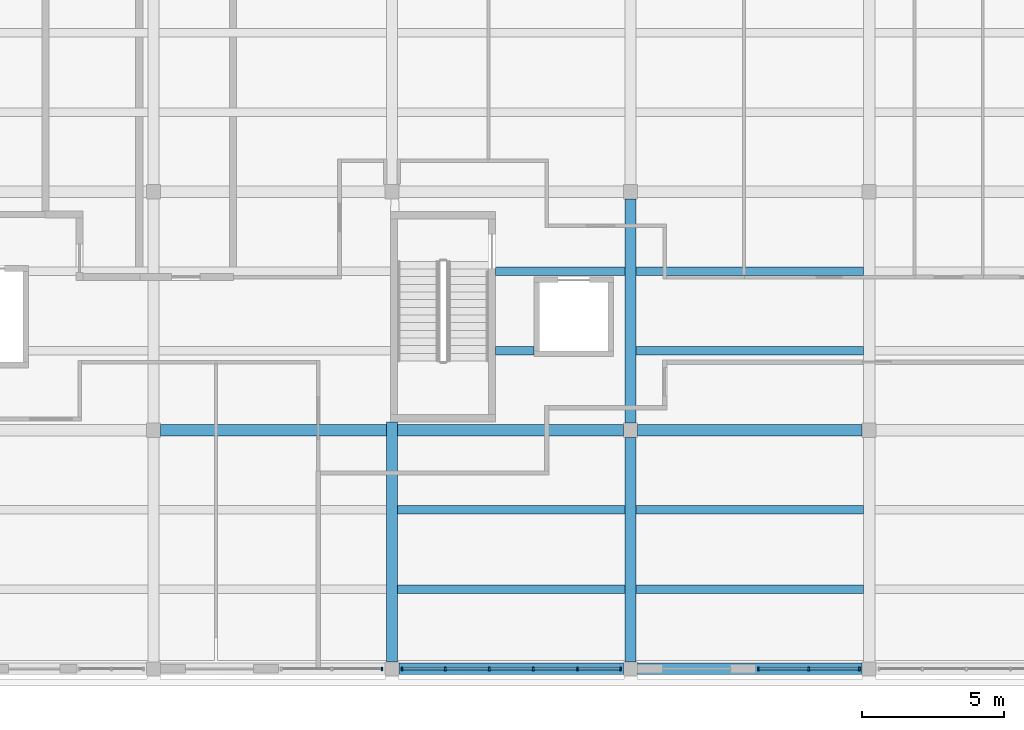
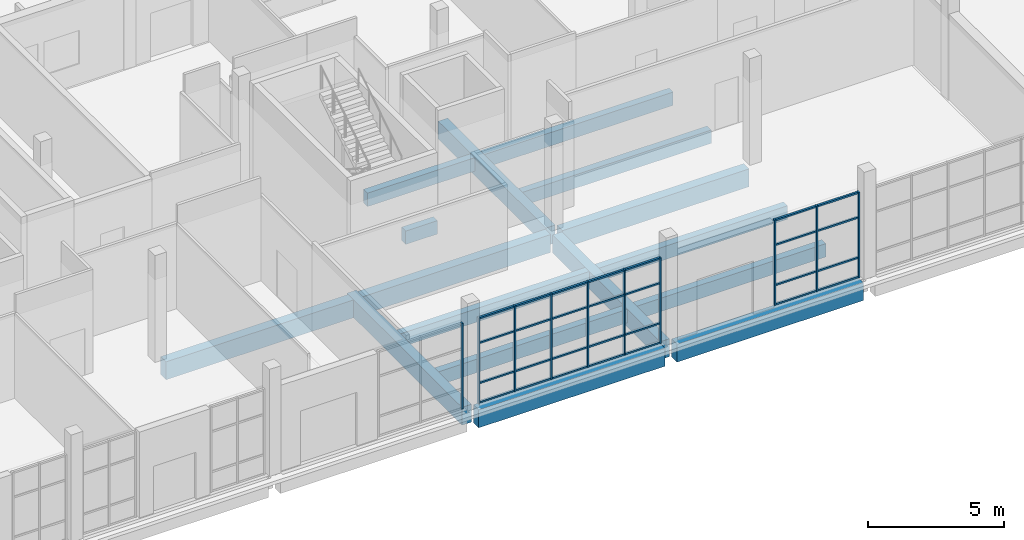
# One storey, part 9 of 110: 38 members, 15 beams, 3 elements without a shape of their own.
"""IFC4 building model written with IfcOpenShell, lengths in metres."""

import ifcopenshell
import ifcopenshell.guid

model = None  # the IFC model being written
_history = None  # IfcOwnerHistory: only IFC2X3 demands one
_inside = {}  # id of a spatial element -> (the spatial element, [elements in it])
_under = {}  # id of a project, library or spatial element -> (it, [spatial elements below it])
_declared = {}  # id of a project -> (the project, [libraries it declares])
_typed = {}  # id of a type object -> (the type object, [elements of that type])
_made_of = {}  # id of a material, layer set ... -> (it, [elements and type objects made of it])


def new_model(schema):
    """Start an empty IFC model of exactly this schema.

    Asked for "IFC4X3", IfcOpenShell would pick the latest addendum, in which some entities
    have other attributes; the version numbers below select the first issue.
    IFC2X3 requires an IfcOwnerHistory on every rooted entity: one is made here for all.
    """
    global model, _history
    if schema == "IFC4X3":
        model = ifcopenshell.file(schema_version=(4, 3, 0, 0))
    else:
        model = ifcopenshell.file(schema=schema)
    _inside.clear()
    _under.clear()
    _declared.clear()
    _typed.clear()
    _made_of.clear()
    _history = None
    if model.schema == "IFC2X3":
        org = make("IfcOrganization", Name="unknown")
        user = make(
            "IfcPersonAndOrganization",
            ThePerson=make("IfcPerson", FamilyName="unknown"),
            TheOrganization=org,
        )
        app = make(
            "IfcApplication",
            ApplicationDeveloper=org,
            Version="unknown",
            ApplicationFullName="unknown",
            ApplicationIdentifier="unknown",
        )
        _history = make(
            "IfcOwnerHistory",
            OwningUser=user,
            OwningApplication=app,
            ChangeAction="ADDED",
            CreationDate=0,
        )
    return model


def make(cls, **values):
    """One entity of the class cls with the attributes given. An attribute that is None is left unset."""
    return model.create_entity(
        cls, **{name: value for name, value in values.items() if value is not None}
    )


def rooted(cls, **values):
    """An entity with a GlobalId (a new one), such as an element, a storey or a relation."""
    return make(cls, GlobalId=ifcopenshell.guid.new(), OwnerHistory=_history, **values)


def si_unit(unit_type, name, prefix=None):
    """IfcSIUnit, for example si_unit("LENGTHUNIT", "METRE", prefix="MILLI")."""
    return make("IfcSIUnit", UnitType=unit_type, Prefix=prefix, Name=name)


def assignment(units):
    """IfcUnitAssignment: the units of a project."""
    return None if units is None else make("IfcUnitAssignment", Units=units)


def point(xyz):
    """IfcCartesianPoint."""
    return None if xyz is None else make("IfcCartesianPoint", Coordinates=xyz)


def direction(xyz):
    """IfcDirection."""
    return None if xyz is None else make("IfcDirection", DirectionRatios=xyz)


def frame(location, z_axis=None, x_axis=None):
    """IfcAxis2Placement3D, a coordinate frame: its origin and axes. An axis left out is left unset."""
    return make(
        "IfcAxis2Placement3D",
        Location=point(location),
        Axis=direction(z_axis),
        RefDirection=direction(x_axis),
    )


def frame_2d(location, x_axis=None):
    """IfcAxis2Placement2D, a coordinate frame in the plane: its origin and x axis."""
    return make(
        "IfcAxis2Placement2D", Location=point(location), RefDirection=direction(x_axis)
    )


def origin():
    """The frame at (0, 0, 0) with its axes left unset."""
    return frame((0.0, 0.0, 0.0))


def origin_2d():
    """The frame at (0, 0) in the plane with its x axis left unset."""
    return frame_2d((0.0, 0.0))


def place(relative_to, where):
    """IfcLocalPlacement: puts the frame where relative to a parent placement (None: the world)."""
    return make(
        "IfcLocalPlacement", PlacementRelTo=relative_to, RelativePlacement=where
    )


def context(
    kind, dimensions, precision=None, world=None, true_north=None, identifier=None
):
    """IfcGeometricRepresentationContext, for example the 3D "Model" context."""
    return make(
        "IfcGeometricRepresentationContext",
        ContextIdentifier=identifier,
        ContextType=kind,
        CoordinateSpaceDimension=dimensions,
        Precision=precision,
        WorldCoordinateSystem=world,
        TrueNorth=true_north,
    )


def subcontext(parent, identifier, kind, view, scale=None):
    """IfcGeometricRepresentationSubContext, for example "Body" below "Model"."""
    return make(
        "IfcGeometricRepresentationSubContext",
        ContextIdentifier=identifier,
        ContextType=kind,
        ParentContext=parent,
        TargetScale=scale,
        TargetView=view,
    )


def project(units=None, contexts=None):
    """IfcProject with its units and contexts."""
    return rooted(
        "IfcProject",
        Name="project",
        RepresentationContexts=contexts,
        UnitsInContext=assignment(units),
    )


def spatial(cls, under=None, at=None, **own):
    """A site, building, storey or space (cls), placed at a placement, below another one or the project."""
    s = rooted(cls, ObjectPlacement=at, **own)
    if under is not None:
        _under.setdefault(under.id(), (under, []))[1].append(s)
    return s


def profile(cls, at=None, kind="AREA", **sizes):
    """A parametric profile (cls). Its sizes go by their IFC names, for example OverallWidth=200.0."""
    return make(cls, ProfileType=kind, Position=at, **sizes)


def rectangle(**sizes):
    """IfcRectangleProfileDef."""
    return profile("IfcRectangleProfileDef", **sizes)


def extrude(swept, where, along, depth):
    """IfcExtrudedAreaSolid: the profile swept, set in the frame where, extruded along a direction by depth."""
    return make(
        "IfcExtrudedAreaSolid",
        SweptArea=swept,
        Position=where,
        ExtrudedDirection=direction(along),
        Depth=depth,
    )


def shape(context_of_items, identifier, shape_type, items):
    """IfcShapeRepresentation: the items that make up one representation, for example the "Body"."""
    return make(
        "IfcShapeRepresentation",
        ContextOfItems=context_of_items,
        RepresentationIdentifier=identifier,
        RepresentationType=shape_type,
        Items=items,
    )


def material(Name=None, Category=None):
    """IfcMaterial."""
    return make("IfcMaterial", Name=Name, Category=Category)


def layer(
    of_material, thickness, ventilated=None, Name=None, Category=None, Priority=None
):
    """IfcMaterialLayer: one layer of a wall or slab, of a material (None: an air gap)."""
    return make(
        "IfcMaterialLayer",
        Material=of_material,
        LayerThickness=thickness,
        IsVentilated=ventilated,
        Name=Name,
        Category=Category,
        Priority=Priority,
    )


def layer_set(layers, Name=None):
    """IfcMaterialLayerSet."""
    return make("IfcMaterialLayerSet", MaterialLayers=layers, LayerSetName=Name)


def material_profile(
    of_material, cross_section, Name=None, Category=None, Priority=None
):
    """IfcMaterialProfile: a cross section and its material."""
    return make(
        "IfcMaterialProfile",
        Name=Name,
        Material=of_material,
        Profile=cross_section,
        Priority=Priority,
        Category=Category,
    )


def profile_set(profiles, Name=None, composite=None):
    """IfcMaterialProfileSet."""
    return make(
        "IfcMaterialProfileSet",
        Name=Name,
        MaterialProfiles=profiles,
        CompositeProfile=composite,
    )


def made_of(thing, what):
    """Note that an element or type object is made of a material, layer set ...; save() writes the relation."""
    if what is not None:
        _made_of.setdefault(what.id(), (what, []))[1].append(thing)
    return thing


def type_object(cls, material=None, **own):
    """A type object (cls), such as IfcWallType, which elements share."""
    return made_of(rooted(cls, **own), material)


def element(
    cls,
    number,
    at=None,
    inside=None,
    cuts=None,
    type_object=None,
    material=None,
    context=None,
    identifier="Body",
    shape_type=None,
    held_by="IfcProductDefinitionShape",
    body=None,
    shapes=None,
    **own,
):
    """One element of the class cls, such as IfcWall. Its Tag is "e" and its number.

    at: its placement. inside: the storey or other place that contains it. cuts: it is an
    opening in that element (IfcRelVoidsElement). A single representation is given by context,
    identifier, shape_type and body (its items); several are given by shapes. held_by: the class
    of the entity that holds the representations. save() writes the other relations.
    """
    e = rooted(cls, Tag="e%d" % number, ObjectPlacement=at, **own)
    if body is not None:
        shapes = [shape(context, identifier, shape_type, body)]
    if shapes is not None:
        e.Representation = make(held_by, Representations=shapes)
    if inside is not None:
        _inside.setdefault(inside.id(), (inside, []))[1].append(e)
    if cuts is not None:
        rooted(
            "IfcRelVoidsElement", RelatingBuildingElement=cuts, RelatedOpeningElement=e
        )
    if type_object is not None:
        _typed.setdefault(type_object.id(), (type_object, []))[1].append(e)
    return made_of(e, material)


def aggregate(whole, parts):
    """IfcRelAggregates: a whole, such as a stair, and the parts it consists of."""
    return rooted("IfcRelAggregates", RelatingObject=whole, RelatedObjects=parts)


def save(model, path):
    """Write the relations noted so far, then the file.

    IfcRelAggregates (storeys below a building ...), IfcRelContainedInSpatialStructure (elements
    in a storey), IfcRelDefinesByType, IfcRelAssociatesMaterial and IfcRelDeclares: one each for
    every whole, place, type object, material and project.
    """
    for whole, parts in _under.values():
        aggregate(whole, parts)
    for where, things in _inside.values():
        rooted(
            "IfcRelContainedInSpatialStructure",
            RelatedElements=things,
            RelatingStructure=where,
        )
    for kind, things in _typed.values():
        rooted("IfcRelDefinesByType", RelatedObjects=things, RelatingType=kind)
    for what, things in _made_of.values():
        rooted("IfcRelAssociatesMaterial", RelatedObjects=things, RelatingMaterial=what)
    for by, libraries in _declared.values():
        rooted("IfcRelDeclares", RelatingContext=by, RelatedDefinitions=libraries)
    model.write(path)


model = new_model("IFC4")

# Units and contexts
model_context = context("Model", 3, precision=1e-05, world=origin(), true_north=direction((0.0, 1.0)))
body_context = subcontext(model_context, "Body", "Model", "MODEL_VIEW")
ifc_project = project(units=[si_unit("LENGTHUNIT", "METRE"), si_unit("AREAUNIT", "SQUARE_METRE"), si_unit("VOLUMEUNIT", "CUBIC_METRE"), si_unit("PLANEANGLEUNIT", "RADIAN"), si_unit("MASSUNIT", "GRAM", prefix="KILO")], contexts=[model_context])

# Site, building, storey
site_placement = place(None, origin())
site = spatial("IfcSite", under=ifc_project, at=site_placement, CompositionType="ELEMENT")
building_placement = place(site_placement, origin())
building = spatial("IfcBuilding", under=site, at=building_placement, Name="Larchfold Concert Hall", CompositionType="ELEMENT")
storey_placement = place(building_placement, origin())
storey = spatial("IfcBuildingStorey", under=building, at=storey_placement, Name="L00", CompositionType="ELEMENT", Elevation=0.0)

# Curtain wall, member
ifc_material_1 = material(Name="Anodised graphite aluminium curtain wall", Category="aluminium")
ifc_layer = layer(ifc_material_1, 0.1201171875)
ifc_layer_set = layer_set([ifc_layer], Name="Anodised graphite aluminium curtain wall")
curtain_wall_type = type_object("IfcCurtainWallType", Name="Curtain wall SF", PredefinedType="NOTDEFINED", material=ifc_layer_set)
curtain_wall_1_placement = place(storey_placement, origin())
curtain_wall_1 = element("IfcCurtainWall", 1, at=curtain_wall_1_placement, inside=storey, type_object=curtain_wall_type, Name="Curtain wall CW0299", PredefinedType="NOTDEFINED")
ifc_material_2 = material(Name="Anodised graphite aluminium mullion", Category="aluminium")
ifc_material_profile_1 = material_profile(ifc_material_2, rectangle(XDim=0.1201171875, YDim=0.06005859375, at=origin_2d()))
ifc_profile_set_1 = profile_set([ifc_material_profile_1], Name="Anodised graphite aluminium mullion")
member_type_1 = type_object("IfcMemberType", Name="Aluminium mullion 60x120", PredefinedType="MULLION", material=ifc_profile_set_1)
member_1_placement = place(storey_placement, frame((33.849853515625, 0.60009765625, 0.0), z_axis=(0.0, 0.0, 1.0), x_axis=(0.0, 1.0, 0.0)))
member_1 = element("IfcMember", 2, at=member_1_placement, type_object=member_type_1, Name="CW0299 mullion 3", PredefinedType="MULLION", context=body_context, shape_type="SweptSolid", body=[
    extrude(rectangle(XDim=0.1201171875, YDim=0.06005859375, at=origin_2d()), origin(), (0.0, 0.0, 1.0), 3.840087890625),
])
aggregate(curtain_wall_1, [member_1])

# Curtain wall, members
curtain_wall_2_placement = place(storey_placement, origin())
curtain_wall_2 = element("IfcCurtainWall", 3, at=curtain_wall_2_placement, inside=storey, type_object=curtain_wall_type, Name="Curtain wall CW0300", PredefinedType="NOTDEFINED")
member_2_placement = place(storey_placement, frame((34.550048828125, 0.60009765625, 0.0), z_axis=(0.0, 0.0, 1.0), x_axis=(0.0, 1.0, 0.0)))
member_2 = element("IfcMember", 4, at=member_2_placement, type_object=member_type_1, Name="CW0300 mullion 1", PredefinedType="MULLION", context=body_context, shape_type="SweptSolid", body=[
    extrude(rectangle(XDim=0.1201171875, YDim=0.06005859375, at=origin_2d()), origin(), (0.0, 0.0, 1.0), 3.840087890625),
])
member_3_placement = place(storey_placement, frame((36.072021484375, 0.60009765625, 0.0), z_axis=(0.0, 0.0, 1.0), x_axis=(0.0, 1.0, 0.0)))
member_3 = element("IfcMember", 5, at=member_3_placement, type_object=member_type_1, Name="CW0300 mullion 2", PredefinedType="MULLION", context=body_context, shape_type="SweptSolid", body=[
    extrude(rectangle(XDim=0.1201171875, YDim=0.06005859375, at=origin_2d()), origin(), (0.0, 0.0, 1.0), 3.840087890625),
])
member_4_placement = place(storey_placement, frame((37.6240234375, 0.60009765625, 0.0), z_axis=(0.0, 0.0, 1.0), x_axis=(0.0, 1.0, 0.0)))
member_4 = element("IfcMember", 6, at=member_4_placement, type_object=member_type_1, Name="CW0300 mullion 3", PredefinedType="MULLION", context=body_context, shape_type="SweptSolid", body=[
    extrude(rectangle(XDim=0.1201171875, YDim=0.06005859375, at=origin_2d()), origin(), (0.0, 0.0, 1.0), 3.840087890625),
])
member_5_placement = place(storey_placement, frame((39.176025390625, 0.60009765625, 0.0), z_axis=(0.0, 0.0, 1.0), x_axis=(0.0, 1.0, 0.0)))
member_5 = element("IfcMember", 7, at=member_5_placement, type_object=member_type_1, Name="CW0300 mullion 4", PredefinedType="MULLION", context=body_context, shape_type="SweptSolid", body=[
    extrude(rectangle(XDim=0.1201171875, YDim=0.06005859375, at=origin_2d()), origin(), (0.0, 0.0, 1.0), 3.840087890625),
])
member_6_placement = place(storey_placement, frame((40.72802734375, 0.60009765625, 0.0), z_axis=(0.0, 0.0, 1.0), x_axis=(0.0, 1.0, 0.0)))
member_6 = element("IfcMember", 8, at=member_6_placement, type_object=member_type_1, Name="CW0300 mullion 5", PredefinedType="MULLION", context=body_context, shape_type="SweptSolid", body=[
    extrude(rectangle(XDim=0.1201171875, YDim=0.06005859375, at=origin_2d()), origin(), (0.0, 0.0, 1.0), 3.840087890625),
])
member_7_placement = place(storey_placement, frame((42.25, 0.60009765625, 0.0), z_axis=(0.0, 0.0, 1.0), x_axis=(0.0, 1.0, 0.0)))
member_7 = element("IfcMember", 9, at=member_7_placement, type_object=member_type_1, Name="CW0300 mullion 6", PredefinedType="MULLION", context=body_context, shape_type="SweptSolid", body=[
    extrude(rectangle(XDim=0.1201171875, YDim=0.06005859375, at=origin_2d()), origin(), (0.0, 0.0, 1.0), 3.840087890625),
])

curtain_wall_3_placement = place(storey_placement, origin())
curtain_wall_3 = element("IfcCurtainWall", 10, at=curtain_wall_3_placement, inside=storey, type_object=curtain_wall_type, Name="Curtain wall CW0301", PredefinedType="NOTDEFINED")
member_8_placement = place(storey_placement, frame((47.10009765625, 0.60009765625, 0.0), z_axis=(0.0, 0.0, 1.0), x_axis=(0.0, 1.0, 0.0)))
member_8 = element("IfcMember", 11, at=member_8_placement, type_object=member_type_1, Name="CW0301 mullion 1", PredefinedType="MULLION", context=body_context, shape_type="SweptSolid", body=[
    extrude(rectangle(XDim=0.1201171875, YDim=0.06005859375, at=origin_2d()), origin(), (0.0, 0.0, 1.0), 3.840087890625),
])
member_9_placement = place(storey_placement, frame((48.875, 0.60009765625, 0.0), z_axis=(0.0, 0.0, 1.0), x_axis=(0.0, 1.0, 0.0)))
member_9 = element("IfcMember", 12, at=member_9_placement, type_object=member_type_1, Name="CW0301 mullion 2", PredefinedType="MULLION", context=body_context, shape_type="SweptSolid", body=[
    extrude(rectangle(XDim=0.1201171875, YDim=0.06005859375, at=origin_2d()), origin(), (0.0, 0.0, 1.0), 3.840087890625),
])
member_10_placement = place(storey_placement, frame((50.64990234375, 0.60009765625, 0.0), z_axis=(0.0, 0.0, 1.0), x_axis=(0.0, 1.0, 0.0)))
member_10 = element("IfcMember", 13, at=member_10_placement, type_object=member_type_1, Name="CW0301 mullion 3", PredefinedType="MULLION", context=body_context, shape_type="SweptSolid", body=[
    extrude(rectangle(XDim=0.1201171875, YDim=0.06005859375, at=origin_2d()), origin(), (0.0, 0.0, 1.0), 3.840087890625),
])

# Member
ifc_material_3 = material(Name="Anodised graphite aluminium transom", Category="aluminium")
ifc_material_profile_2 = material_profile(ifc_material_3, rectangle(XDim=0.090087890625, YDim=0.070068359375, at=origin_2d()))
ifc_profile_set_2 = profile_set([ifc_material_profile_2], Name="Anodised graphite aluminium transom")
member_type_2 = type_object("IfcMemberType", Name="Aluminium transom 70x90", PredefinedType="USERDEFINED", material=ifc_profile_set_2)
member_11_placement = place(storey_placement, frame((34.580078125, 0.60009765625, 0.034912109375), z_axis=(1.0, 0.0, 0.0), x_axis=(0.0, 1.0, 0.0)))
member_11 = element("IfcMember", 14, at=member_11_placement, type_object=member_type_2, Name="CW0300 transom 1.1", ObjectType="TRANSOM", PredefinedType="USERDEFINED", context=body_context, shape_type="SweptSolid", body=[
    extrude(rectangle(XDim=0.090087890625, YDim=0.070068359375, at=origin_2d()), origin(), (0.0, 0.0, 1.0), 1.4619140625),
])

member_12_placement = place(storey_placement, frame((34.580078125, 0.60009765625, 0.89990234375), z_axis=(1.0, 0.0, 0.0), x_axis=(0.0, 1.0, 0.0)))
member_12 = element("IfcMember", 15, at=member_12_placement, type_object=member_type_2, Name="CW0300 transom 1.2", ObjectType="TRANSOM", PredefinedType="USERDEFINED", context=body_context, shape_type="SweptSolid", body=[
    extrude(rectangle(XDim=0.090087890625, YDim=0.070068359375, at=origin_2d()), origin(), (0.0, 0.0, 1.0), 1.4619140625),
])

member_13_placement = place(storey_placement, frame((34.580078125, 0.60009765625, 2.699951171875), z_axis=(1.0, 0.0, 0.0), x_axis=(0.0, 1.0, 0.0)))
member_13 = element("IfcMember", 16, at=member_13_placement, type_object=member_type_2, Name="CW0300 transom 1.3", ObjectType="TRANSOM", PredefinedType="USERDEFINED", context=body_context, shape_type="SweptSolid", body=[
    extrude(rectangle(XDim=0.090087890625, YDim=0.070068359375, at=origin_2d()), origin(), (0.0, 0.0, 1.0), 1.4619140625),
])

member_14_placement = place(storey_placement, frame((34.580078125, 0.60009765625, 3.80517578125), z_axis=(1.0, 0.0, 0.0), x_axis=(0.0, 1.0, 0.0)))
member_14 = element("IfcMember", 17, at=member_14_placement, type_object=member_type_2, Name="CW0300 transom 1.4", ObjectType="TRANSOM", PredefinedType="USERDEFINED", context=body_context, shape_type="SweptSolid", body=[
    extrude(rectangle(XDim=0.090087890625, YDim=0.070068359375, at=origin_2d()), origin(), (0.0, 0.0, 1.0), 1.4619140625),
])

member_15_placement = place(storey_placement, frame((36.10205078125, 0.60009765625, 0.034912109375), z_axis=(1.0, 0.0, 0.0), x_axis=(0.0, 1.0, 0.0)))
member_15 = element("IfcMember", 18, at=member_15_placement, type_object=member_type_2, Name="CW0300 transom 2.1", ObjectType="TRANSOM", PredefinedType="USERDEFINED", context=body_context, shape_type="SweptSolid", body=[
    extrude(rectangle(XDim=0.090087890625, YDim=0.070068359375, at=origin_2d()), origin(), (0.0, 0.0, 1.0), 1.491943359375),
])

member_16_placement = place(storey_placement, frame((36.10205078125, 0.60009765625, 0.89990234375), z_axis=(1.0, 0.0, 0.0), x_axis=(0.0, 1.0, 0.0)))
member_16 = element("IfcMember", 19, at=member_16_placement, type_object=member_type_2, Name="CW0300 transom 2.2", ObjectType="TRANSOM", PredefinedType="USERDEFINED", context=body_context, shape_type="SweptSolid", body=[
    extrude(rectangle(XDim=0.090087890625, YDim=0.070068359375, at=origin_2d()), origin(), (0.0, 0.0, 1.0), 1.491943359375),
])

member_17_placement = place(storey_placement, frame((36.10205078125, 0.60009765625, 2.699951171875), z_axis=(1.0, 0.0, 0.0), x_axis=(0.0, 1.0, 0.0)))
member_17 = element("IfcMember", 20, at=member_17_placement, type_object=member_type_2, Name="CW0300 transom 2.3", ObjectType="TRANSOM", PredefinedType="USERDEFINED", context=body_context, shape_type="SweptSolid", body=[
    extrude(rectangle(XDim=0.090087890625, YDim=0.070068359375, at=origin_2d()), origin(), (0.0, 0.0, 1.0), 1.491943359375),
])

member_18_placement = place(storey_placement, frame((36.10205078125, 0.60009765625, 3.80517578125), z_axis=(1.0, 0.0, 0.0), x_axis=(0.0, 1.0, 0.0)))
member_18 = element("IfcMember", 21, at=member_18_placement, type_object=member_type_2, Name="CW0300 transom 2.4", ObjectType="TRANSOM", PredefinedType="USERDEFINED", context=body_context, shape_type="SweptSolid", body=[
    extrude(rectangle(XDim=0.090087890625, YDim=0.070068359375, at=origin_2d()), origin(), (0.0, 0.0, 1.0), 1.491943359375),
])

member_19_placement = place(storey_placement, frame((37.654052734375, 0.60009765625, 0.034912109375), z_axis=(1.0, 0.0, 0.0), x_axis=(0.0, 1.0, 0.0)))
member_19 = element("IfcMember", 22, at=member_19_placement, type_object=member_type_2, Name="CW0300 transom 3.1", ObjectType="TRANSOM", PredefinedType="USERDEFINED", context=body_context, shape_type="SweptSolid", body=[
    extrude(rectangle(XDim=0.090087890625, YDim=0.070068359375, at=origin_2d()), origin(), (0.0, 0.0, 1.0), 1.491943359375),
])

member_20_placement = place(storey_placement, frame((37.654052734375, 0.60009765625, 0.89990234375), z_axis=(1.0, 0.0, 0.0), x_axis=(0.0, 1.0, 0.0)))
member_20 = element("IfcMember", 23, at=member_20_placement, type_object=member_type_2, Name="CW0300 transom 3.2", ObjectType="TRANSOM", PredefinedType="USERDEFINED", context=body_context, shape_type="SweptSolid", body=[
    extrude(rectangle(XDim=0.090087890625, YDim=0.070068359375, at=origin_2d()), origin(), (0.0, 0.0, 1.0), 1.491943359375),
])

member_21_placement = place(storey_placement, frame((37.654052734375, 0.60009765625, 2.699951171875), z_axis=(1.0, 0.0, 0.0), x_axis=(0.0, 1.0, 0.0)))
member_21 = element("IfcMember", 24, at=member_21_placement, type_object=member_type_2, Name="CW0300 transom 3.3", ObjectType="TRANSOM", PredefinedType="USERDEFINED", context=body_context, shape_type="SweptSolid", body=[
    extrude(rectangle(XDim=0.090087890625, YDim=0.070068359375, at=origin_2d()), origin(), (0.0, 0.0, 1.0), 1.491943359375),
])

member_22_placement = place(storey_placement, frame((37.654052734375, 0.60009765625, 3.80517578125), z_axis=(1.0, 0.0, 0.0), x_axis=(0.0, 1.0, 0.0)))
member_22 = element("IfcMember", 25, at=member_22_placement, type_object=member_type_2, Name="CW0300 transom 3.4", ObjectType="TRANSOM", PredefinedType="USERDEFINED", context=body_context, shape_type="SweptSolid", body=[
    extrude(rectangle(XDim=0.090087890625, YDim=0.070068359375, at=origin_2d()), origin(), (0.0, 0.0, 1.0), 1.491943359375),
])

member_23_placement = place(storey_placement, frame((39.2060546875, 0.60009765625, 0.034912109375), z_axis=(1.0, 0.0, 0.0), x_axis=(0.0, 1.0, 0.0)))
member_23 = element("IfcMember", 26, at=member_23_placement, type_object=member_type_2, Name="CW0300 transom 4.1", ObjectType="TRANSOM", PredefinedType="USERDEFINED", context=body_context, shape_type="SweptSolid", body=[
    extrude(rectangle(XDim=0.090087890625, YDim=0.070068359375, at=origin_2d()), origin(), (0.0, 0.0, 1.0), 1.491943359375),
])

member_24_placement = place(storey_placement, frame((39.2060546875, 0.60009765625, 0.89990234375), z_axis=(1.0, 0.0, 0.0), x_axis=(0.0, 1.0, 0.0)))
member_24 = element("IfcMember", 27, at=member_24_placement, type_object=member_type_2, Name="CW0300 transom 4.2", ObjectType="TRANSOM", PredefinedType="USERDEFINED", context=body_context, shape_type="SweptSolid", body=[
    extrude(rectangle(XDim=0.090087890625, YDim=0.070068359375, at=origin_2d()), origin(), (0.0, 0.0, 1.0), 1.491943359375),
])

member_25_placement = place(storey_placement, frame((39.2060546875, 0.60009765625, 2.699951171875), z_axis=(1.0, 0.0, 0.0), x_axis=(0.0, 1.0, 0.0)))
member_25 = element("IfcMember", 28, at=member_25_placement, type_object=member_type_2, Name="CW0300 transom 4.3", ObjectType="TRANSOM", PredefinedType="USERDEFINED", context=body_context, shape_type="SweptSolid", body=[
    extrude(rectangle(XDim=0.090087890625, YDim=0.070068359375, at=origin_2d()), origin(), (0.0, 0.0, 1.0), 1.491943359375),
])

member_26_placement = place(storey_placement, frame((39.2060546875, 0.60009765625, 3.80517578125), z_axis=(1.0, 0.0, 0.0), x_axis=(0.0, 1.0, 0.0)))
member_26 = element("IfcMember", 29, at=member_26_placement, type_object=member_type_2, Name="CW0300 transom 4.4", ObjectType="TRANSOM", PredefinedType="USERDEFINED", context=body_context, shape_type="SweptSolid", body=[
    extrude(rectangle(XDim=0.090087890625, YDim=0.070068359375, at=origin_2d()), origin(), (0.0, 0.0, 1.0), 1.491943359375),
])

member_27_placement = place(storey_placement, frame((40.758056640625, 0.60009765625, 0.034912109375), z_axis=(1.0, 0.0, 0.0), x_axis=(0.0, 1.0, 0.0)))
member_27 = element("IfcMember", 30, at=member_27_placement, type_object=member_type_2, Name="CW0300 transom 5.1", ObjectType="TRANSOM", PredefinedType="USERDEFINED", context=body_context, shape_type="SweptSolid", body=[
    extrude(rectangle(XDim=0.090087890625, YDim=0.070068359375, at=origin_2d()), origin(), (0.0, 0.0, 1.0), 1.4619140625),
])

member_28_placement = place(storey_placement, frame((40.758056640625, 0.60009765625, 0.89990234375), z_axis=(1.0, 0.0, 0.0), x_axis=(0.0, 1.0, 0.0)))
member_28 = element("IfcMember", 31, at=member_28_placement, type_object=member_type_2, Name="CW0300 transom 5.2", ObjectType="TRANSOM", PredefinedType="USERDEFINED", context=body_context, shape_type="SweptSolid", body=[
    extrude(rectangle(XDim=0.090087890625, YDim=0.070068359375, at=origin_2d()), origin(), (0.0, 0.0, 1.0), 1.4619140625),
])

member_29_placement = place(storey_placement, frame((40.758056640625, 0.60009765625, 2.699951171875), z_axis=(1.0, 0.0, 0.0), x_axis=(0.0, 1.0, 0.0)))
member_29 = element("IfcMember", 32, at=member_29_placement, type_object=member_type_2, Name="CW0300 transom 5.3", ObjectType="TRANSOM", PredefinedType="USERDEFINED", context=body_context, shape_type="SweptSolid", body=[
    extrude(rectangle(XDim=0.090087890625, YDim=0.070068359375, at=origin_2d()), origin(), (0.0, 0.0, 1.0), 1.4619140625),
])

member_30_placement = place(storey_placement, frame((40.758056640625, 0.60009765625, 3.80517578125), z_axis=(1.0, 0.0, 0.0), x_axis=(0.0, 1.0, 0.0)))
member_30 = element("IfcMember", 33, at=member_30_placement, type_object=member_type_2, Name="CW0300 transom 5.4", ObjectType="TRANSOM", PredefinedType="USERDEFINED", context=body_context, shape_type="SweptSolid", body=[
    extrude(rectangle(XDim=0.090087890625, YDim=0.070068359375, at=origin_2d()), origin(), (0.0, 0.0, 1.0), 1.4619140625),
])

aggregate(curtain_wall_2, [member_2, member_3, member_4, member_5, member_6, member_7, member_11, member_12, member_13, member_14, member_15, member_16, member_17, member_18, member_19, member_20, member_21, member_22, member_23, member_24, member_25, member_26, member_27, member_28, member_29, member_30])

member_31_placement = place(storey_placement, frame((47.130126953125, 0.60009765625, 0.034912109375), z_axis=(1.0, 0.0, 0.0), x_axis=(0.0, 1.0, 0.0)))
member_31 = element("IfcMember", 34, at=member_31_placement, type_object=member_type_2, Name="CW0301 transom 1.1", ObjectType="TRANSOM", PredefinedType="USERDEFINED", context=body_context, shape_type="SweptSolid", body=[
    extrude(rectangle(XDim=0.090087890625, YDim=0.070068359375, at=origin_2d()), origin(), (0.0, 0.0, 1.0), 1.71484375),
])

member_32_placement = place(storey_placement, frame((47.130126953125, 0.60009765625, 0.89990234375), z_axis=(1.0, 0.0, 0.0), x_axis=(0.0, 1.0, 0.0)))
member_32 = element("IfcMember", 35, at=member_32_placement, type_object=member_type_2, Name="CW0301 transom 1.2", ObjectType="TRANSOM", PredefinedType="USERDEFINED", context=body_context, shape_type="SweptSolid", body=[
    extrude(rectangle(XDim=0.090087890625, YDim=0.070068359375, at=origin_2d()), origin(), (0.0, 0.0, 1.0), 1.71484375),
])

member_33_placement = place(storey_placement, frame((47.130126953125, 0.60009765625, 2.699951171875), z_axis=(1.0, 0.0, 0.0), x_axis=(0.0, 1.0, 0.0)))
member_33 = element("IfcMember", 36, at=member_33_placement, type_object=member_type_2, Name="CW0301 transom 1.3", ObjectType="TRANSOM", PredefinedType="USERDEFINED", context=body_context, shape_type="SweptSolid", body=[
    extrude(rectangle(XDim=0.090087890625, YDim=0.070068359375, at=origin_2d()), origin(), (0.0, 0.0, 1.0), 1.71484375),
])

member_34_placement = place(storey_placement, frame((47.130126953125, 0.60009765625, 3.80517578125), z_axis=(1.0, 0.0, 0.0), x_axis=(0.0, 1.0, 0.0)))
member_34 = element("IfcMember", 37, at=member_34_placement, type_object=member_type_2, Name="CW0301 transom 1.4", ObjectType="TRANSOM", PredefinedType="USERDEFINED", context=body_context, shape_type="SweptSolid", body=[
    extrude(rectangle(XDim=0.090087890625, YDim=0.070068359375, at=origin_2d()), origin(), (0.0, 0.0, 1.0), 1.71484375),
])

member_35_placement = place(storey_placement, frame((48.905029296875, 0.60009765625, 0.034912109375), z_axis=(1.0, 0.0, 0.0), x_axis=(0.0, 1.0, 0.0)))
member_35 = element("IfcMember", 38, at=member_35_placement, type_object=member_type_2, Name="CW0301 transom 2.1", ObjectType="TRANSOM", PredefinedType="USERDEFINED", context=body_context, shape_type="SweptSolid", body=[
    extrude(rectangle(XDim=0.090087890625, YDim=0.070068359375, at=origin_2d()), origin(), (0.0, 0.0, 1.0), 1.71484375),
])

member_36_placement = place(storey_placement, frame((48.905029296875, 0.60009765625, 0.89990234375), z_axis=(1.0, 0.0, 0.0), x_axis=(0.0, 1.0, 0.0)))
member_36 = element("IfcMember", 39, at=member_36_placement, type_object=member_type_2, Name="CW0301 transom 2.2", ObjectType="TRANSOM", PredefinedType="USERDEFINED", context=body_context, shape_type="SweptSolid", body=[
    extrude(rectangle(XDim=0.090087890625, YDim=0.070068359375, at=origin_2d()), origin(), (0.0, 0.0, 1.0), 1.71484375),
])

member_37_placement = place(storey_placement, frame((48.905029296875, 0.60009765625, 2.699951171875), z_axis=(1.0, 0.0, 0.0), x_axis=(0.0, 1.0, 0.0)))
member_37 = element("IfcMember", 40, at=member_37_placement, type_object=member_type_2, Name="CW0301 transom 2.3", ObjectType="TRANSOM", PredefinedType="USERDEFINED", context=body_context, shape_type="SweptSolid", body=[
    extrude(rectangle(XDim=0.090087890625, YDim=0.070068359375, at=origin_2d()), origin(), (0.0, 0.0, 1.0), 1.71484375),
])

member_38_placement = place(storey_placement, frame((48.905029296875, 0.60009765625, 3.80517578125), z_axis=(1.0, 0.0, 0.0), x_axis=(0.0, 1.0, 0.0)))
member_38 = element("IfcMember", 41, at=member_38_placement, type_object=member_type_2, Name="CW0301 transom 2.4", ObjectType="TRANSOM", PredefinedType="USERDEFINED", context=body_context, shape_type="SweptSolid", body=[
    extrude(rectangle(XDim=0.090087890625, YDim=0.070068359375, at=origin_2d()), origin(), (0.0, 0.0, 1.0), 1.71484375),
])

aggregate(curtain_wall_3, [member_8, member_9, member_10, member_31, member_32, member_33, member_34, member_35, member_36, member_37, member_38])

# Beams
ifc_material_4 = material(Name="Concrete C35/45", Category="concrete")
ifc_material_profile_3 = material_profile(ifc_material_4, rectangle(XDim=0.300048828125, YDim=0.60009765625, at=origin_2d()))
ifc_profile_set_3 = profile_set([ifc_material_profile_3], Name="Concrete C35/45")
beam_type_1 = type_object("IfcBeamType", Name="Beam RC 300x600", PredefinedType="BEAM", material=ifc_profile_set_3)
for number, where, z_axis, x_axis, name in (
    (42, (34.39990234375, 3.39990234375, -0.4599609375), (1.0, 0.0, 0.0), (0.0, 1.0, 0.0), "Beam B0055"),
    (43, (42.800048828125, 3.39990234375, -0.4599609375), (1.0, 0.0, 0.0), (0.0, 1.0, 0.0), "Beam B0056"),
    (44, (34.39990234375, 6.199951171875, -0.4599609375), (1.0, 0.0, 0.0), (0.0, 1.0, 0.0), "Beam B0062"),
    (45, (42.800048828125, 6.199951171875, -0.4599609375), (1.0, 0.0, 0.0), (0.0, 1.0, 0.0), "Beam B0063"),
):
    element("IfcBeam", number, at=place(storey_placement, frame(where, z_axis=z_axis, x_axis=x_axis)), inside=storey, type_object=beam_type_1, Name=name, PredefinedType="BEAM", context=body_context, shape_type="SweptSolid", body=[
        extrude(rectangle(XDim=0.300048828125, YDim=0.60009765625, at=origin_2d()), origin(), (0.0, 0.0, 1.0), 8.0),
    ])
beam_1_placement = place(storey_placement, frame((37.85009765625, 11.800048828125, -0.4599609375), z_axis=(1.0, 0.0, 0.0), x_axis=(0.0, 1.0, 0.0)))
element("IfcBeam", 46, at=beam_1_placement, inside=storey, type_object=beam_type_1, Name="Beam B0071", PredefinedType="BEAM", context=body_context, shape_type="SweptSolid", body=[
    extrude(rectangle(XDim=0.300048828125, YDim=0.60009765625, at=origin_2d()), origin(), (0.0, 0.0, 1.0), 1.349853515625),
])
beam_2_placement = place(storey_placement, frame((42.800048828125, 11.800048828125, -0.4599609375), z_axis=(1.0, 0.0, 0.0), x_axis=(0.0, 1.0, 0.0)))
element("IfcBeam", 47, at=beam_2_placement, inside=storey, type_object=beam_type_1, Name="Beam B0072", PredefinedType="BEAM", context=body_context, shape_type="SweptSolid", body=[
    extrude(rectangle(XDim=0.300048828125, YDim=0.60009765625, at=origin_2d()), origin(), (0.0, 0.0, 1.0), 8.0),
])
beam_3_placement = place(storey_placement, frame((37.85009765625, 14.60009765625, -0.4599609375), z_axis=(1.0, 0.0, 0.0), x_axis=(0.0, 1.0, 0.0)))
element("IfcBeam", 48, at=beam_3_placement, inside=storey, type_object=beam_type_1, Name="Beam B0080", PredefinedType="BEAM", context=body_context, shape_type="SweptSolid", body=[
    extrude(rectangle(XDim=0.300048828125, YDim=0.60009765625, at=origin_2d()), origin(), (0.0, 0.0, 1.0), 4.5498046875),
])
beam_4_placement = place(storey_placement, frame((42.800048828125, 14.60009765625, -0.4599609375), z_axis=(1.0, 0.0, 0.0), x_axis=(0.0, 1.0, 0.0)))
element("IfcBeam", 49, at=beam_4_placement, inside=storey, type_object=beam_type_1, Name="Beam B0081", PredefinedType="BEAM", context=body_context, shape_type="SweptSolid", body=[
    extrude(rectangle(XDim=0.300048828125, YDim=0.60009765625, at=origin_2d()), origin(), (0.0, 0.0, 1.0), 8.0),
])
ifc_material_5 = material(Name="Concrete C35/45", Category="concrete")
ifc_material_profile_4 = material_profile(ifc_material_5, rectangle(XDim=0.39990234375, YDim=0.800048828125, at=origin_2d()))
ifc_profile_set_4 = profile_set([ifc_material_profile_4], Name="Concrete C35/45")
beam_type_2 = type_object("IfcBeamType", Name="Beam RC 400x800", PredefinedType="BEAM", material=ifc_profile_set_4)
beam_5_placement = place(storey_placement, frame((34.199951171875, 0.85009765625, -0.56005859375), z_axis=(0.0, 1.0, 0.0), x_axis=(-1.0, 0.0, 0.0)))
element("IfcBeam", 50, at=beam_5_placement, inside=storey, type_object=beam_type_2, Name="Beam B0013", PredefinedType="BEAM", context=body_context, shape_type="SweptSolid", body=[
    extrude(rectangle(XDim=0.39990234375, YDim=0.800048828125, at=origin_2d()), origin(), (0.0, 0.0, 1.0), 8.449951171875),
])
for number, where, z_axis, x_axis, name in (
    (51, (42.60009765625, 0.85009765625, -0.56005859375), (0.0, 1.0, 0.0), (-1.0, 0.0, 0.0), "Beam B0015"),
    (52, (42.60009765625, 9.25, -0.56005859375), (0.0, 1.0, 0.0), (-1.0, 0.0, 0.0), "Beam B0016"),
):
    element("IfcBeam", number, at=place(storey_placement, frame(where, z_axis=z_axis, x_axis=x_axis)), inside=storey, type_object=beam_type_2, Name=name, PredefinedType="BEAM", context=body_context, shape_type="SweptSolid", body=[
        extrude(rectangle(XDim=0.39990234375, YDim=0.800048828125, at=origin_2d()), origin(), (0.0, 0.0, 1.0), 7.89990234375),
    ])
beam_6_placement = place(storey_placement, frame((34.449951171875, 0.60009765625, -0.56005859375), z_axis=(1.0, 0.0, 0.0), x_axis=(0.0, 1.0, 0.0)))
element("IfcBeam", 53, at=beam_6_placement, inside=storey, type_object=beam_type_2, Name="Beam B0028", PredefinedType="BEAM", context=body_context, shape_type="SweptSolid", body=[
    extrude(rectangle(XDim=0.39990234375, YDim=0.800048828125, at=origin_2d()), origin(), (0.0, 0.0, 1.0), 7.900146484375),
])
beam_7_placement = place(storey_placement, frame((42.85009765625, 0.60009765625, -0.56005859375), z_axis=(1.0, 0.0, 0.0), x_axis=(0.0, 1.0, 0.0)))
element("IfcBeam", 54, at=beam_7_placement, inside=storey, type_object=beam_type_2, Name="Beam B0029", PredefinedType="BEAM", context=body_context, shape_type="SweptSolid", body=[
    extrude(rectangle(XDim=0.39990234375, YDim=0.800048828125, at=origin_2d()), origin(), (0.0, 0.0, 1.0), 7.89990234375),
])
beam_8_placement = place(storey_placement, frame((26.050048828125, 9.0, -0.56005859375), z_axis=(1.0, 0.0, 0.0), x_axis=(0.0, 1.0, 0.0)))
element("IfcBeam", 55, at=beam_8_placement, inside=storey, type_object=beam_type_2, Name="Beam B0034", PredefinedType="BEAM", context=body_context, shape_type="SweptSolid", body=[
    extrude(rectangle(XDim=0.39990234375, YDim=0.800048828125, at=origin_2d()), origin(), (0.0, 0.0, 1.0), 16.300048828125),
])
beam_9_placement = place(storey_placement, frame((42.85009765625, 9.0, -0.56005859375), z_axis=(1.0, 0.0, 0.0), x_axis=(0.0, 1.0, 0.0)))
element("IfcBeam", 56, at=beam_9_placement, inside=storey, type_object=beam_type_2, Name="Beam B0035", PredefinedType="BEAM", context=body_context, shape_type="SweptSolid", body=[
    extrude(rectangle(XDim=0.39990234375, YDim=0.800048828125, at=origin_2d()), origin(), (0.0, 0.0, 1.0), 7.89990234375),
])

save(model, "model.ifc")
